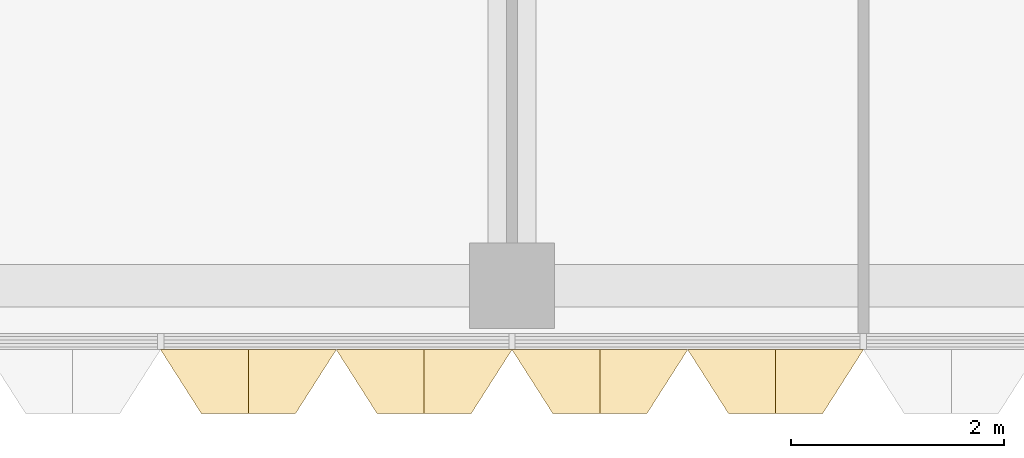
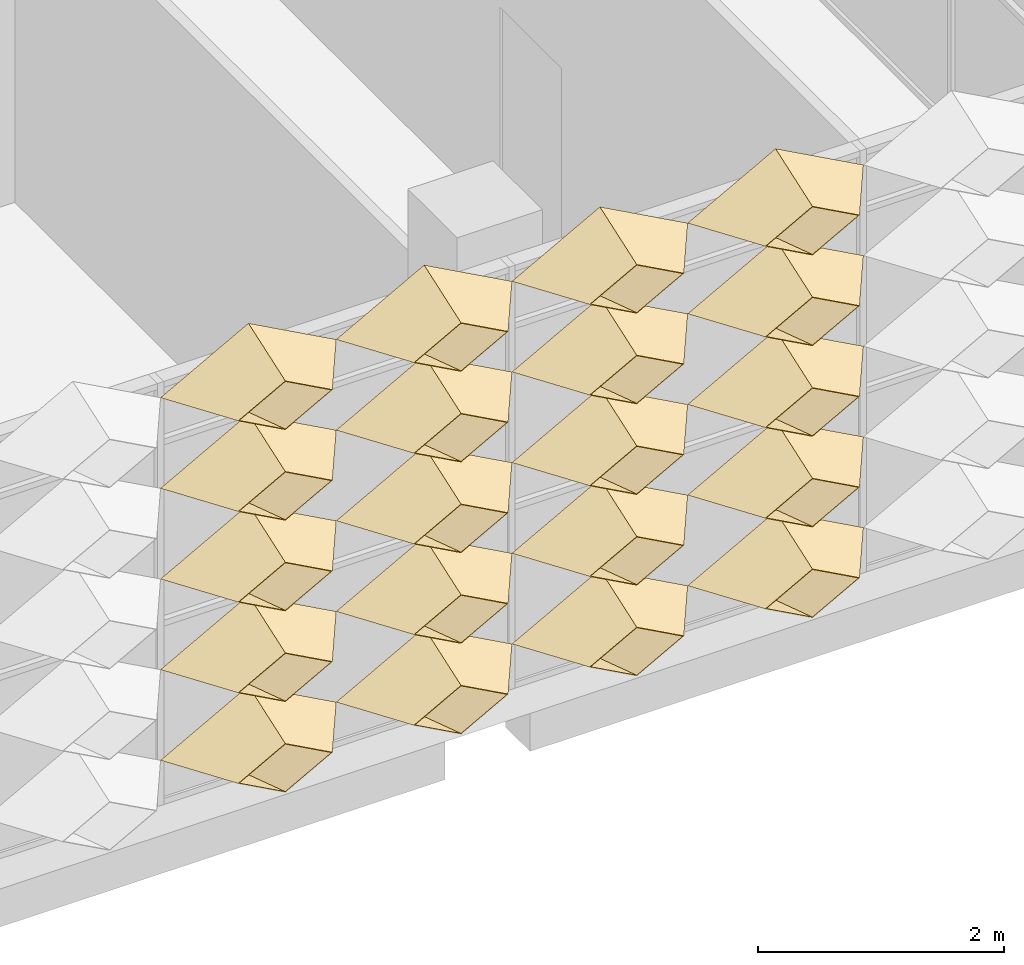
# One storey, part 30 of 39: 20 coverings.
"""IFC4 building model written with IfcOpenShell, lengths in metres."""

from ifc_helpers import new_model, entity, si_unit, direction, frame, origin, place, context, subcontext, project, spatial, material, layer, layer_set, type_object, element, save


model = new_model("IFC4")

# Units and contexts
model_context = context("Model", 3, precision=1e-05, world=origin(), true_north=direction((0.0, 1.0)))
body_context = subcontext(model_context, "Body", "Model", "MODEL_VIEW")
ifc_project = project(units=[si_unit("LENGTHUNIT", "METRE"), si_unit("AREAUNIT", "SQUARE_METRE"), si_unit("VOLUMEUNIT", "CUBIC_METRE"), si_unit("PLANEANGLEUNIT", "RADIAN"), si_unit("MASSUNIT", "GRAM", prefix="KILO")], contexts=[model_context])

# Site, building, storey
site_placement = place(None, origin())
site = spatial("IfcSite", under=ifc_project, at=site_placement, CompositionType="ELEMENT")
building_placement = place(site_placement, origin())
building = spatial("IfcBuilding", under=site, at=building_placement, Name="Lantern Court Research Institute", CompositionType="ELEMENT")
storey_placement = place(building_placement, frame((0.0, 0.0, 27.89990234375)))
storey = spatial("IfcBuildingStorey", under=building, at=storey_placement, Name="L06", CompositionType="ELEMENT", Elevation=27.89990234375)

# Coverings
ifc_material = material(Name="Anodised aluminium", Category="aluminium")
ifc_layer = layer(ifc_material, 0.01611328125)
ifc_layer_set = layer_set([ifc_layer], Name="Anodised aluminium")
covering_type = type_object("IfcCoveringType", Name="Fin cassette 1650 x 900 x 600 aluminium", PredefinedType="CLADDING", material=ifc_layer_set)
covering_1_placement = place(storey_placement, frame((70.125, -8.39990234375, 0.4501953125), z_axis=(0.0, -1.0, 0.0), x_axis=(1.0, 0.0, 0.0)))
cartesian_point_1 = entity("IfcCartesianPoint", [0.824951171875, 0.0])
cartesian_point_2 = entity("IfcCartesianPoint", [0.79150390625, 0.0])
cartesian_point_3 = entity("IfcCartesianPoint", [0.44189453125, 0.0])
cartesian_point_4 = entity("IfcCartesianPoint", [0.43359375, 0.0])
element("IfcCovering", 1, at=covering_1_placement, inside=storey, type_object=covering_type, Name="Fin cassette V5S-L06 1.43", PredefinedType="CLADDING", context=body_context, shape_type="SweptSolid", body=[
    entity("IfcExtrudedAreaSolidTapered", entity("IfcArbitraryProfileDefWithVoids", "AREA", None, entity("IfcPolyline", [cartesian_point_1, entity("IfcCartesianPoint", [0.0, 0.449951171875]), entity("IfcCartesianPoint", [-0.824951171875, 0.0]), entity("IfcCartesianPoint", [0.0, -0.449951171875]), cartesian_point_1]), [entity("IfcPolyline", [cartesian_point_2, entity("IfcCartesianPoint", [0.0, 0.431884765625]), entity("IfcCartesianPoint", [-0.79150390625, 0.0]), entity("IfcCartesianPoint", [0.0, -0.431884765625]), cartesian_point_2])]), entity("IfcAxis2Placement3D", entity("IfcCartesianPoint", [0.0, 0.0, 0.0])), entity("IfcDirection", [0.0, 0.0, 1.0]), 0.60009765625, entity("IfcArbitraryProfileDefWithVoids", "AREA", None, entity("IfcPolyline", [cartesian_point_3, entity("IfcCartesianPoint", [0.0, 0.240966796875]), entity("IfcCartesianPoint", [-0.44189453125, 0.0]), entity("IfcCartesianPoint", [0.0, -0.240966796875]), cartesian_point_3]), [entity("IfcPolyline", [cartesian_point_4, entity("IfcCartesianPoint", [0.0, 0.236572265625]), entity("IfcCartesianPoint", [-0.43359375, 0.0]), entity("IfcCartesianPoint", [0.0, -0.236572265625]), cartesian_point_4])])),
])
covering_2_placement = place(storey_placement, frame((71.77490234375, -8.39990234375, 0.4501953125), z_axis=(0.0, -1.0, 0.0), x_axis=(1.0, 0.0, 0.0)))
cartesian_point_5 = entity("IfcCartesianPoint", [0.824951171875, 0.0])
cartesian_point_6 = entity("IfcCartesianPoint", [0.79150390625, 0.0])
cartesian_point_7 = entity("IfcCartesianPoint", [0.44189453125, 0.0])
cartesian_point_8 = entity("IfcCartesianPoint", [0.43359375, 0.0])
element("IfcCovering", 2, at=covering_2_placement, inside=storey, type_object=covering_type, Name="Fin cassette V5S-L06 1.44", PredefinedType="CLADDING", context=body_context, shape_type="SweptSolid", body=[
    entity("IfcExtrudedAreaSolidTapered", entity("IfcArbitraryProfileDefWithVoids", "AREA", None, entity("IfcPolyline", [cartesian_point_5, entity("IfcCartesianPoint", [0.0, 0.449951171875]), entity("IfcCartesianPoint", [-0.824951171875, 0.0]), entity("IfcCartesianPoint", [0.0, -0.449951171875]), cartesian_point_5]), [entity("IfcPolyline", [cartesian_point_6, entity("IfcCartesianPoint", [0.0, 0.431884765625]), entity("IfcCartesianPoint", [-0.79150390625, 0.0]), entity("IfcCartesianPoint", [0.0, -0.431884765625]), cartesian_point_6])]), entity("IfcAxis2Placement3D", entity("IfcCartesianPoint", [0.0, 0.0, 0.0])), entity("IfcDirection", [0.0, 0.0, 1.0]), 0.60009765625, entity("IfcArbitraryProfileDefWithVoids", "AREA", None, entity("IfcPolyline", [cartesian_point_7, entity("IfcCartesianPoint", [0.0, 0.240966796875]), entity("IfcCartesianPoint", [-0.44189453125, 0.0]), entity("IfcCartesianPoint", [0.0, -0.240966796875]), cartesian_point_7]), [entity("IfcPolyline", [cartesian_point_8, entity("IfcCartesianPoint", [0.0, 0.236572265625]), entity("IfcCartesianPoint", [-0.43359375, 0.0]), entity("IfcCartesianPoint", [0.0, -0.236572265625]), cartesian_point_8])])),
])
covering_3_placement = place(storey_placement, frame((73.425048828125, -8.39990234375, 0.4501953125), z_axis=(0.0, -1.0, 0.0), x_axis=(1.0, 0.0, 0.0)))
cartesian_point_9 = entity("IfcCartesianPoint", [0.824951171875, 0.0])
cartesian_point_10 = entity("IfcCartesianPoint", [0.79150390625, 0.0])
cartesian_point_11 = entity("IfcCartesianPoint", [0.44189453125, 0.0])
cartesian_point_12 = entity("IfcCartesianPoint", [0.43359375, 0.0])
element("IfcCovering", 3, at=covering_3_placement, inside=storey, type_object=covering_type, Name="Fin cassette V5S-L06 1.45", PredefinedType="CLADDING", context=body_context, shape_type="SweptSolid", body=[
    entity("IfcExtrudedAreaSolidTapered", entity("IfcArbitraryProfileDefWithVoids", "AREA", None, entity("IfcPolyline", [cartesian_point_9, entity("IfcCartesianPoint", [0.0, 0.449951171875]), entity("IfcCartesianPoint", [-0.824951171875, 0.0]), entity("IfcCartesianPoint", [0.0, -0.449951171875]), cartesian_point_9]), [entity("IfcPolyline", [cartesian_point_10, entity("IfcCartesianPoint", [0.0, 0.431884765625]), entity("IfcCartesianPoint", [-0.79150390625, 0.0]), entity("IfcCartesianPoint", [0.0, -0.431884765625]), cartesian_point_10])]), entity("IfcAxis2Placement3D", entity("IfcCartesianPoint", [0.0, 0.0, 0.0])), entity("IfcDirection", [0.0, 0.0, 1.0]), 0.60009765625, entity("IfcArbitraryProfileDefWithVoids", "AREA", None, entity("IfcPolyline", [cartesian_point_11, entity("IfcCartesianPoint", [0.0, 0.240966796875]), entity("IfcCartesianPoint", [-0.44189453125, 0.0]), entity("IfcCartesianPoint", [0.0, -0.240966796875]), cartesian_point_11]), [entity("IfcPolyline", [cartesian_point_12, entity("IfcCartesianPoint", [0.0, 0.236572265625]), entity("IfcCartesianPoint", [-0.43359375, 0.0]), entity("IfcCartesianPoint", [0.0, -0.236572265625]), cartesian_point_12])])),
])
covering_4_placement = place(storey_placement, frame((75.074951171875, -8.39990234375, 0.4501953125), z_axis=(0.0, -1.0, 0.0), x_axis=(1.0, 0.0, 0.0)))
cartesian_point_13 = entity("IfcCartesianPoint", [0.824951171875, 0.0])
cartesian_point_14 = entity("IfcCartesianPoint", [0.79150390625, 0.0])
cartesian_point_15 = entity("IfcCartesianPoint", [0.44189453125, 0.0])
cartesian_point_16 = entity("IfcCartesianPoint", [0.43359375, 0.0])
element("IfcCovering", 4, at=covering_4_placement, inside=storey, type_object=covering_type, Name="Fin cassette V5S-L06 1.46", PredefinedType="CLADDING", context=body_context, shape_type="SweptSolid", body=[
    entity("IfcExtrudedAreaSolidTapered", entity("IfcArbitraryProfileDefWithVoids", "AREA", None, entity("IfcPolyline", [cartesian_point_13, entity("IfcCartesianPoint", [0.0, 0.449951171875]), entity("IfcCartesianPoint", [-0.824951171875, 0.0]), entity("IfcCartesianPoint", [0.0, -0.449951171875]), cartesian_point_13]), [entity("IfcPolyline", [cartesian_point_14, entity("IfcCartesianPoint", [0.0, 0.431884765625]), entity("IfcCartesianPoint", [-0.79150390625, 0.0]), entity("IfcCartesianPoint", [0.0, -0.431884765625]), cartesian_point_14])]), entity("IfcAxis2Placement3D", entity("IfcCartesianPoint", [0.0, 0.0, 0.0])), entity("IfcDirection", [0.0, 0.0, 1.0]), 0.60009765625, entity("IfcArbitraryProfileDefWithVoids", "AREA", None, entity("IfcPolyline", [cartesian_point_15, entity("IfcCartesianPoint", [0.0, 0.240966796875]), entity("IfcCartesianPoint", [-0.44189453125, 0.0]), entity("IfcCartesianPoint", [0.0, -0.240966796875]), cartesian_point_15]), [entity("IfcPolyline", [cartesian_point_16, entity("IfcCartesianPoint", [0.0, 0.236572265625]), entity("IfcCartesianPoint", [-0.43359375, 0.0]), entity("IfcCartesianPoint", [0.0, -0.236572265625]), cartesian_point_16])])),
])
covering_5_placement = place(storey_placement, frame((70.125, -8.39990234375, 1.35009765625), z_axis=(0.0, -1.0, 0.0), x_axis=(1.0, 0.0, 0.0)))
cartesian_point_17 = entity("IfcCartesianPoint", [0.824951171875, 0.0])
cartesian_point_18 = entity("IfcCartesianPoint", [0.79150390625, 0.0])
cartesian_point_19 = entity("IfcCartesianPoint", [0.44189453125, 0.0])
cartesian_point_20 = entity("IfcCartesianPoint", [0.43359375, 0.0])
element("IfcCovering", 5, at=covering_5_placement, inside=storey, type_object=covering_type, Name="Fin cassette V5S-L06 2.43", PredefinedType="CLADDING", context=body_context, shape_type="SweptSolid", body=[
    entity("IfcExtrudedAreaSolidTapered", entity("IfcArbitraryProfileDefWithVoids", "AREA", None, entity("IfcPolyline", [cartesian_point_17, entity("IfcCartesianPoint", [0.0, 0.449951171875]), entity("IfcCartesianPoint", [-0.824951171875, 0.0]), entity("IfcCartesianPoint", [0.0, -0.449951171875]), cartesian_point_17]), [entity("IfcPolyline", [cartesian_point_18, entity("IfcCartesianPoint", [0.0, 0.431884765625]), entity("IfcCartesianPoint", [-0.79150390625, 0.0]), entity("IfcCartesianPoint", [0.0, -0.431884765625]), cartesian_point_18])]), entity("IfcAxis2Placement3D", entity("IfcCartesianPoint", [0.0, 0.0, 0.0])), entity("IfcDirection", [0.0, 0.0, 1.0]), 0.60009765625, entity("IfcArbitraryProfileDefWithVoids", "AREA", None, entity("IfcPolyline", [cartesian_point_19, entity("IfcCartesianPoint", [0.0, 0.240966796875]), entity("IfcCartesianPoint", [-0.44189453125, 0.0]), entity("IfcCartesianPoint", [0.0, -0.240966796875]), cartesian_point_19]), [entity("IfcPolyline", [cartesian_point_20, entity("IfcCartesianPoint", [0.0, 0.236572265625]), entity("IfcCartesianPoint", [-0.43359375, 0.0]), entity("IfcCartesianPoint", [0.0, -0.236572265625]), cartesian_point_20])])),
])
covering_6_placement = place(storey_placement, frame((71.77490234375, -8.39990234375, 1.35009765625), z_axis=(0.0, -1.0, 0.0), x_axis=(1.0, 0.0, 0.0)))
cartesian_point_21 = entity("IfcCartesianPoint", [0.824951171875, 0.0])
cartesian_point_22 = entity("IfcCartesianPoint", [0.79150390625, 0.0])
cartesian_point_23 = entity("IfcCartesianPoint", [0.44189453125, 0.0])
cartesian_point_24 = entity("IfcCartesianPoint", [0.43359375, 0.0])
element("IfcCovering", 6, at=covering_6_placement, inside=storey, type_object=covering_type, Name="Fin cassette V5S-L06 2.44", PredefinedType="CLADDING", context=body_context, shape_type="SweptSolid", body=[
    entity("IfcExtrudedAreaSolidTapered", entity("IfcArbitraryProfileDefWithVoids", "AREA", None, entity("IfcPolyline", [cartesian_point_21, entity("IfcCartesianPoint", [0.0, 0.449951171875]), entity("IfcCartesianPoint", [-0.824951171875, 0.0]), entity("IfcCartesianPoint", [0.0, -0.449951171875]), cartesian_point_21]), [entity("IfcPolyline", [cartesian_point_22, entity("IfcCartesianPoint", [0.0, 0.431884765625]), entity("IfcCartesianPoint", [-0.79150390625, 0.0]), entity("IfcCartesianPoint", [0.0, -0.431884765625]), cartesian_point_22])]), entity("IfcAxis2Placement3D", entity("IfcCartesianPoint", [0.0, 0.0, 0.0])), entity("IfcDirection", [0.0, 0.0, 1.0]), 0.60009765625, entity("IfcArbitraryProfileDefWithVoids", "AREA", None, entity("IfcPolyline", [cartesian_point_23, entity("IfcCartesianPoint", [0.0, 0.240966796875]), entity("IfcCartesianPoint", [-0.44189453125, 0.0]), entity("IfcCartesianPoint", [0.0, -0.240966796875]), cartesian_point_23]), [entity("IfcPolyline", [cartesian_point_24, entity("IfcCartesianPoint", [0.0, 0.236572265625]), entity("IfcCartesianPoint", [-0.43359375, 0.0]), entity("IfcCartesianPoint", [0.0, -0.236572265625]), cartesian_point_24])])),
])
covering_7_placement = place(storey_placement, frame((73.425048828125, -8.39990234375, 1.35009765625), z_axis=(0.0, -1.0, 0.0), x_axis=(1.0, 0.0, 0.0)))
cartesian_point_25 = entity("IfcCartesianPoint", [0.824951171875, 0.0])
cartesian_point_26 = entity("IfcCartesianPoint", [0.79150390625, 0.0])
cartesian_point_27 = entity("IfcCartesianPoint", [0.44189453125, 0.0])
cartesian_point_28 = entity("IfcCartesianPoint", [0.43359375, 0.0])
element("IfcCovering", 7, at=covering_7_placement, inside=storey, type_object=covering_type, Name="Fin cassette V5S-L06 2.45", PredefinedType="CLADDING", context=body_context, shape_type="SweptSolid", body=[
    entity("IfcExtrudedAreaSolidTapered", entity("IfcArbitraryProfileDefWithVoids", "AREA", None, entity("IfcPolyline", [cartesian_point_25, entity("IfcCartesianPoint", [0.0, 0.449951171875]), entity("IfcCartesianPoint", [-0.824951171875, 0.0]), entity("IfcCartesianPoint", [0.0, -0.449951171875]), cartesian_point_25]), [entity("IfcPolyline", [cartesian_point_26, entity("IfcCartesianPoint", [0.0, 0.431884765625]), entity("IfcCartesianPoint", [-0.79150390625, 0.0]), entity("IfcCartesianPoint", [0.0, -0.431884765625]), cartesian_point_26])]), entity("IfcAxis2Placement3D", entity("IfcCartesianPoint", [0.0, 0.0, 0.0])), entity("IfcDirection", [0.0, 0.0, 1.0]), 0.60009765625, entity("IfcArbitraryProfileDefWithVoids", "AREA", None, entity("IfcPolyline", [cartesian_point_27, entity("IfcCartesianPoint", [0.0, 0.240966796875]), entity("IfcCartesianPoint", [-0.44189453125, 0.0]), entity("IfcCartesianPoint", [0.0, -0.240966796875]), cartesian_point_27]), [entity("IfcPolyline", [cartesian_point_28, entity("IfcCartesianPoint", [0.0, 0.236572265625]), entity("IfcCartesianPoint", [-0.43359375, 0.0]), entity("IfcCartesianPoint", [0.0, -0.236572265625]), cartesian_point_28])])),
])
covering_8_placement = place(storey_placement, frame((75.074951171875, -8.39990234375, 1.35009765625), z_axis=(0.0, -1.0, 0.0), x_axis=(1.0, 0.0, 0.0)))
cartesian_point_29 = entity("IfcCartesianPoint", [0.824951171875, 0.0])
cartesian_point_30 = entity("IfcCartesianPoint", [0.79150390625, 0.0])
cartesian_point_31 = entity("IfcCartesianPoint", [0.44189453125, 0.0])
cartesian_point_32 = entity("IfcCartesianPoint", [0.43359375, 0.0])
element("IfcCovering", 8, at=covering_8_placement, inside=storey, type_object=covering_type, Name="Fin cassette V5S-L06 2.46", PredefinedType="CLADDING", context=body_context, shape_type="SweptSolid", body=[
    entity("IfcExtrudedAreaSolidTapered", entity("IfcArbitraryProfileDefWithVoids", "AREA", None, entity("IfcPolyline", [cartesian_point_29, entity("IfcCartesianPoint", [0.0, 0.449951171875]), entity("IfcCartesianPoint", [-0.824951171875, 0.0]), entity("IfcCartesianPoint", [0.0, -0.449951171875]), cartesian_point_29]), [entity("IfcPolyline", [cartesian_point_30, entity("IfcCartesianPoint", [0.0, 0.431884765625]), entity("IfcCartesianPoint", [-0.79150390625, 0.0]), entity("IfcCartesianPoint", [0.0, -0.431884765625]), cartesian_point_30])]), entity("IfcAxis2Placement3D", entity("IfcCartesianPoint", [0.0, 0.0, 0.0])), entity("IfcDirection", [0.0, 0.0, 1.0]), 0.60009765625, entity("IfcArbitraryProfileDefWithVoids", "AREA", None, entity("IfcPolyline", [cartesian_point_31, entity("IfcCartesianPoint", [0.0, 0.240966796875]), entity("IfcCartesianPoint", [-0.44189453125, 0.0]), entity("IfcCartesianPoint", [0.0, -0.240966796875]), cartesian_point_31]), [entity("IfcPolyline", [cartesian_point_32, entity("IfcCartesianPoint", [0.0, 0.236572265625]), entity("IfcCartesianPoint", [-0.43359375, 0.0]), entity("IfcCartesianPoint", [0.0, -0.236572265625]), cartesian_point_32])])),
])
covering_9_placement = place(storey_placement, frame((70.125, -8.39990234375, 2.25), z_axis=(0.0, -1.0, 0.0), x_axis=(1.0, 0.0, 0.0)))
cartesian_point_33 = entity("IfcCartesianPoint", [0.824951171875, 0.0])
cartesian_point_34 = entity("IfcCartesianPoint", [0.79150390625, 0.0])
cartesian_point_35 = entity("IfcCartesianPoint", [0.44189453125, 0.0])
cartesian_point_36 = entity("IfcCartesianPoint", [0.43359375, 0.0])
element("IfcCovering", 9, at=covering_9_placement, inside=storey, type_object=covering_type, Name="Fin cassette V5S-L06 3.43", PredefinedType="CLADDING", context=body_context, shape_type="SweptSolid", body=[
    entity("IfcExtrudedAreaSolidTapered", entity("IfcArbitraryProfileDefWithVoids", "AREA", None, entity("IfcPolyline", [cartesian_point_33, entity("IfcCartesianPoint", [0.0, 0.449951171875]), entity("IfcCartesianPoint", [-0.824951171875, 0.0]), entity("IfcCartesianPoint", [0.0, -0.449951171875]), cartesian_point_33]), [entity("IfcPolyline", [cartesian_point_34, entity("IfcCartesianPoint", [0.0, 0.431884765625]), entity("IfcCartesianPoint", [-0.79150390625, 0.0]), entity("IfcCartesianPoint", [0.0, -0.431884765625]), cartesian_point_34])]), entity("IfcAxis2Placement3D", entity("IfcCartesianPoint", [0.0, 0.0, 0.0])), entity("IfcDirection", [0.0, 0.0, 1.0]), 0.60009765625, entity("IfcArbitraryProfileDefWithVoids", "AREA", None, entity("IfcPolyline", [cartesian_point_35, entity("IfcCartesianPoint", [0.0, 0.240966796875]), entity("IfcCartesianPoint", [-0.44189453125, 0.0]), entity("IfcCartesianPoint", [0.0, -0.240966796875]), cartesian_point_35]), [entity("IfcPolyline", [cartesian_point_36, entity("IfcCartesianPoint", [0.0, 0.236572265625]), entity("IfcCartesianPoint", [-0.43359375, 0.0]), entity("IfcCartesianPoint", [0.0, -0.236572265625]), cartesian_point_36])])),
])
covering_10_placement = place(storey_placement, frame((71.77490234375, -8.39990234375, 2.25), z_axis=(0.0, -1.0, 0.0), x_axis=(1.0, 0.0, 0.0)))
cartesian_point_37 = entity("IfcCartesianPoint", [0.824951171875, 0.0])
cartesian_point_38 = entity("IfcCartesianPoint", [0.79150390625, 0.0])
cartesian_point_39 = entity("IfcCartesianPoint", [0.44189453125, 0.0])
cartesian_point_40 = entity("IfcCartesianPoint", [0.43359375, 0.0])
element("IfcCovering", 10, at=covering_10_placement, inside=storey, type_object=covering_type, Name="Fin cassette V5S-L06 3.44", PredefinedType="CLADDING", context=body_context, shape_type="SweptSolid", body=[
    entity("IfcExtrudedAreaSolidTapered", entity("IfcArbitraryProfileDefWithVoids", "AREA", None, entity("IfcPolyline", [cartesian_point_37, entity("IfcCartesianPoint", [0.0, 0.449951171875]), entity("IfcCartesianPoint", [-0.824951171875, 0.0]), entity("IfcCartesianPoint", [0.0, -0.449951171875]), cartesian_point_37]), [entity("IfcPolyline", [cartesian_point_38, entity("IfcCartesianPoint", [0.0, 0.431884765625]), entity("IfcCartesianPoint", [-0.79150390625, 0.0]), entity("IfcCartesianPoint", [0.0, -0.431884765625]), cartesian_point_38])]), entity("IfcAxis2Placement3D", entity("IfcCartesianPoint", [0.0, 0.0, 0.0])), entity("IfcDirection", [0.0, 0.0, 1.0]), 0.60009765625, entity("IfcArbitraryProfileDefWithVoids", "AREA", None, entity("IfcPolyline", [cartesian_point_39, entity("IfcCartesianPoint", [0.0, 0.240966796875]), entity("IfcCartesianPoint", [-0.44189453125, 0.0]), entity("IfcCartesianPoint", [0.0, -0.240966796875]), cartesian_point_39]), [entity("IfcPolyline", [cartesian_point_40, entity("IfcCartesianPoint", [0.0, 0.236572265625]), entity("IfcCartesianPoint", [-0.43359375, 0.0]), entity("IfcCartesianPoint", [0.0, -0.236572265625]), cartesian_point_40])])),
])
covering_11_placement = place(storey_placement, frame((73.425048828125, -8.39990234375, 2.25), z_axis=(0.0, -1.0, 0.0), x_axis=(1.0, 0.0, 0.0)))
cartesian_point_41 = entity("IfcCartesianPoint", [0.824951171875, 0.0])
cartesian_point_42 = entity("IfcCartesianPoint", [0.79150390625, 0.0])
cartesian_point_43 = entity("IfcCartesianPoint", [0.44189453125, 0.0])
cartesian_point_44 = entity("IfcCartesianPoint", [0.43359375, 0.0])
element("IfcCovering", 11, at=covering_11_placement, inside=storey, type_object=covering_type, Name="Fin cassette V5S-L06 3.45", PredefinedType="CLADDING", context=body_context, shape_type="SweptSolid", body=[
    entity("IfcExtrudedAreaSolidTapered", entity("IfcArbitraryProfileDefWithVoids", "AREA", None, entity("IfcPolyline", [cartesian_point_41, entity("IfcCartesianPoint", [0.0, 0.449951171875]), entity("IfcCartesianPoint", [-0.824951171875, 0.0]), entity("IfcCartesianPoint", [0.0, -0.449951171875]), cartesian_point_41]), [entity("IfcPolyline", [cartesian_point_42, entity("IfcCartesianPoint", [0.0, 0.431884765625]), entity("IfcCartesianPoint", [-0.79150390625, 0.0]), entity("IfcCartesianPoint", [0.0, -0.431884765625]), cartesian_point_42])]), entity("IfcAxis2Placement3D", entity("IfcCartesianPoint", [0.0, 0.0, 0.0])), entity("IfcDirection", [0.0, 0.0, 1.0]), 0.60009765625, entity("IfcArbitraryProfileDefWithVoids", "AREA", None, entity("IfcPolyline", [cartesian_point_43, entity("IfcCartesianPoint", [0.0, 0.240966796875]), entity("IfcCartesianPoint", [-0.44189453125, 0.0]), entity("IfcCartesianPoint", [0.0, -0.240966796875]), cartesian_point_43]), [entity("IfcPolyline", [cartesian_point_44, entity("IfcCartesianPoint", [0.0, 0.236572265625]), entity("IfcCartesianPoint", [-0.43359375, 0.0]), entity("IfcCartesianPoint", [0.0, -0.236572265625]), cartesian_point_44])])),
])
covering_12_placement = place(storey_placement, frame((75.074951171875, -8.39990234375, 2.25), z_axis=(0.0, -1.0, 0.0), x_axis=(1.0, 0.0, 0.0)))
cartesian_point_45 = entity("IfcCartesianPoint", [0.824951171875, 0.0])
cartesian_point_46 = entity("IfcCartesianPoint", [0.79150390625, 0.0])
cartesian_point_47 = entity("IfcCartesianPoint", [0.44189453125, 0.0])
cartesian_point_48 = entity("IfcCartesianPoint", [0.43359375, 0.0])
element("IfcCovering", 12, at=covering_12_placement, inside=storey, type_object=covering_type, Name="Fin cassette V5S-L06 3.46", PredefinedType="CLADDING", context=body_context, shape_type="SweptSolid", body=[
    entity("IfcExtrudedAreaSolidTapered", entity("IfcArbitraryProfileDefWithVoids", "AREA", None, entity("IfcPolyline", [cartesian_point_45, entity("IfcCartesianPoint", [0.0, 0.449951171875]), entity("IfcCartesianPoint", [-0.824951171875, 0.0]), entity("IfcCartesianPoint", [0.0, -0.449951171875]), cartesian_point_45]), [entity("IfcPolyline", [cartesian_point_46, entity("IfcCartesianPoint", [0.0, 0.431884765625]), entity("IfcCartesianPoint", [-0.79150390625, 0.0]), entity("IfcCartesianPoint", [0.0, -0.431884765625]), cartesian_point_46])]), entity("IfcAxis2Placement3D", entity("IfcCartesianPoint", [0.0, 0.0, 0.0])), entity("IfcDirection", [0.0, 0.0, 1.0]), 0.60009765625, entity("IfcArbitraryProfileDefWithVoids", "AREA", None, entity("IfcPolyline", [cartesian_point_47, entity("IfcCartesianPoint", [0.0, 0.240966796875]), entity("IfcCartesianPoint", [-0.44189453125, 0.0]), entity("IfcCartesianPoint", [0.0, -0.240966796875]), cartesian_point_47]), [entity("IfcPolyline", [cartesian_point_48, entity("IfcCartesianPoint", [0.0, 0.236572265625]), entity("IfcCartesianPoint", [-0.43359375, 0.0]), entity("IfcCartesianPoint", [0.0, -0.236572265625]), cartesian_point_48])])),
])
covering_13_placement = place(storey_placement, frame((70.125, -8.39990234375, 3.150146484375), z_axis=(0.0, -1.0, 0.0), x_axis=(1.0, 0.0, 0.0)))
cartesian_point_49 = entity("IfcCartesianPoint", [0.824951171875, 0.0])
cartesian_point_50 = entity("IfcCartesianPoint", [0.79150390625, 0.0])
cartesian_point_51 = entity("IfcCartesianPoint", [0.44189453125, 0.0])
cartesian_point_52 = entity("IfcCartesianPoint", [0.43359375, 0.0])
element("IfcCovering", 13, at=covering_13_placement, inside=storey, type_object=covering_type, Name="Fin cassette V5S-L06 4.43", PredefinedType="CLADDING", context=body_context, shape_type="SweptSolid", body=[
    entity("IfcExtrudedAreaSolidTapered", entity("IfcArbitraryProfileDefWithVoids", "AREA", None, entity("IfcPolyline", [cartesian_point_49, entity("IfcCartesianPoint", [0.0, 0.449951171875]), entity("IfcCartesianPoint", [-0.824951171875, 0.0]), entity("IfcCartesianPoint", [0.0, -0.449951171875]), cartesian_point_49]), [entity("IfcPolyline", [cartesian_point_50, entity("IfcCartesianPoint", [0.0, 0.431884765625]), entity("IfcCartesianPoint", [-0.79150390625, 0.0]), entity("IfcCartesianPoint", [0.0, -0.431884765625]), cartesian_point_50])]), entity("IfcAxis2Placement3D", entity("IfcCartesianPoint", [0.0, 0.0, 0.0])), entity("IfcDirection", [0.0, 0.0, 1.0]), 0.60009765625, entity("IfcArbitraryProfileDefWithVoids", "AREA", None, entity("IfcPolyline", [cartesian_point_51, entity("IfcCartesianPoint", [0.0, 0.240966796875]), entity("IfcCartesianPoint", [-0.44189453125, 0.0]), entity("IfcCartesianPoint", [0.0, -0.240966796875]), cartesian_point_51]), [entity("IfcPolyline", [cartesian_point_52, entity("IfcCartesianPoint", [0.0, 0.236572265625]), entity("IfcCartesianPoint", [-0.43359375, 0.0]), entity("IfcCartesianPoint", [0.0, -0.236572265625]), cartesian_point_52])])),
])
covering_14_placement = place(storey_placement, frame((71.77490234375, -8.39990234375, 3.150146484375), z_axis=(0.0, -1.0, 0.0), x_axis=(1.0, 0.0, 0.0)))
cartesian_point_53 = entity("IfcCartesianPoint", [0.824951171875, 0.0])
cartesian_point_54 = entity("IfcCartesianPoint", [0.79150390625, 0.0])
cartesian_point_55 = entity("IfcCartesianPoint", [0.44189453125, 0.0])
cartesian_point_56 = entity("IfcCartesianPoint", [0.43359375, 0.0])
element("IfcCovering", 14, at=covering_14_placement, inside=storey, type_object=covering_type, Name="Fin cassette V5S-L06 4.44", PredefinedType="CLADDING", context=body_context, shape_type="SweptSolid", body=[
    entity("IfcExtrudedAreaSolidTapered", entity("IfcArbitraryProfileDefWithVoids", "AREA", None, entity("IfcPolyline", [cartesian_point_53, entity("IfcCartesianPoint", [0.0, 0.449951171875]), entity("IfcCartesianPoint", [-0.824951171875, 0.0]), entity("IfcCartesianPoint", [0.0, -0.449951171875]), cartesian_point_53]), [entity("IfcPolyline", [cartesian_point_54, entity("IfcCartesianPoint", [0.0, 0.431884765625]), entity("IfcCartesianPoint", [-0.79150390625, 0.0]), entity("IfcCartesianPoint", [0.0, -0.431884765625]), cartesian_point_54])]), entity("IfcAxis2Placement3D", entity("IfcCartesianPoint", [0.0, 0.0, 0.0])), entity("IfcDirection", [0.0, 0.0, 1.0]), 0.60009765625, entity("IfcArbitraryProfileDefWithVoids", "AREA", None, entity("IfcPolyline", [cartesian_point_55, entity("IfcCartesianPoint", [0.0, 0.240966796875]), entity("IfcCartesianPoint", [-0.44189453125, 0.0]), entity("IfcCartesianPoint", [0.0, -0.240966796875]), cartesian_point_55]), [entity("IfcPolyline", [cartesian_point_56, entity("IfcCartesianPoint", [0.0, 0.236572265625]), entity("IfcCartesianPoint", [-0.43359375, 0.0]), entity("IfcCartesianPoint", [0.0, -0.236572265625]), cartesian_point_56])])),
])
covering_15_placement = place(storey_placement, frame((73.425048828125, -8.39990234375, 3.150146484375), z_axis=(0.0, -1.0, 0.0), x_axis=(1.0, 0.0, 0.0)))
cartesian_point_57 = entity("IfcCartesianPoint", [0.824951171875, 0.0])
cartesian_point_58 = entity("IfcCartesianPoint", [0.79150390625, 0.0])
cartesian_point_59 = entity("IfcCartesianPoint", [0.44189453125, 0.0])
cartesian_point_60 = entity("IfcCartesianPoint", [0.43359375, 0.0])
element("IfcCovering", 15, at=covering_15_placement, inside=storey, type_object=covering_type, Name="Fin cassette V5S-L06 4.45", PredefinedType="CLADDING", context=body_context, shape_type="SweptSolid", body=[
    entity("IfcExtrudedAreaSolidTapered", entity("IfcArbitraryProfileDefWithVoids", "AREA", None, entity("IfcPolyline", [cartesian_point_57, entity("IfcCartesianPoint", [0.0, 0.449951171875]), entity("IfcCartesianPoint", [-0.824951171875, 0.0]), entity("IfcCartesianPoint", [0.0, -0.449951171875]), cartesian_point_57]), [entity("IfcPolyline", [cartesian_point_58, entity("IfcCartesianPoint", [0.0, 0.431884765625]), entity("IfcCartesianPoint", [-0.79150390625, 0.0]), entity("IfcCartesianPoint", [0.0, -0.431884765625]), cartesian_point_58])]), entity("IfcAxis2Placement3D", entity("IfcCartesianPoint", [0.0, 0.0, 0.0])), entity("IfcDirection", [0.0, 0.0, 1.0]), 0.60009765625, entity("IfcArbitraryProfileDefWithVoids", "AREA", None, entity("IfcPolyline", [cartesian_point_59, entity("IfcCartesianPoint", [0.0, 0.240966796875]), entity("IfcCartesianPoint", [-0.44189453125, 0.0]), entity("IfcCartesianPoint", [0.0, -0.240966796875]), cartesian_point_59]), [entity("IfcPolyline", [cartesian_point_60, entity("IfcCartesianPoint", [0.0, 0.236572265625]), entity("IfcCartesianPoint", [-0.43359375, 0.0]), entity("IfcCartesianPoint", [0.0, -0.236572265625]), cartesian_point_60])])),
])
covering_16_placement = place(storey_placement, frame((75.074951171875, -8.39990234375, 3.150146484375), z_axis=(0.0, -1.0, 0.0), x_axis=(1.0, 0.0, 0.0)))
cartesian_point_61 = entity("IfcCartesianPoint", [0.824951171875, 0.0])
cartesian_point_62 = entity("IfcCartesianPoint", [0.79150390625, 0.0])
cartesian_point_63 = entity("IfcCartesianPoint", [0.44189453125, 0.0])
cartesian_point_64 = entity("IfcCartesianPoint", [0.43359375, 0.0])
element("IfcCovering", 16, at=covering_16_placement, inside=storey, type_object=covering_type, Name="Fin cassette V5S-L06 4.46", PredefinedType="CLADDING", context=body_context, shape_type="SweptSolid", body=[
    entity("IfcExtrudedAreaSolidTapered", entity("IfcArbitraryProfileDefWithVoids", "AREA", None, entity("IfcPolyline", [cartesian_point_61, entity("IfcCartesianPoint", [0.0, 0.449951171875]), entity("IfcCartesianPoint", [-0.824951171875, 0.0]), entity("IfcCartesianPoint", [0.0, -0.449951171875]), cartesian_point_61]), [entity("IfcPolyline", [cartesian_point_62, entity("IfcCartesianPoint", [0.0, 0.431884765625]), entity("IfcCartesianPoint", [-0.79150390625, 0.0]), entity("IfcCartesianPoint", [0.0, -0.431884765625]), cartesian_point_62])]), entity("IfcAxis2Placement3D", entity("IfcCartesianPoint", [0.0, 0.0, 0.0])), entity("IfcDirection", [0.0, 0.0, 1.0]), 0.60009765625, entity("IfcArbitraryProfileDefWithVoids", "AREA", None, entity("IfcPolyline", [cartesian_point_63, entity("IfcCartesianPoint", [0.0, 0.240966796875]), entity("IfcCartesianPoint", [-0.44189453125, 0.0]), entity("IfcCartesianPoint", [0.0, -0.240966796875]), cartesian_point_63]), [entity("IfcPolyline", [cartesian_point_64, entity("IfcCartesianPoint", [0.0, 0.236572265625]), entity("IfcCartesianPoint", [-0.43359375, 0.0]), entity("IfcCartesianPoint", [0.0, -0.236572265625]), cartesian_point_64])])),
])
covering_17_placement = place(storey_placement, frame((70.125, -8.39990234375, 4.050048828125), z_axis=(0.0, -1.0, 0.0), x_axis=(1.0, 0.0, 0.0)))
cartesian_point_65 = entity("IfcCartesianPoint", [0.824951171875, 0.0])
cartesian_point_66 = entity("IfcCartesianPoint", [0.79150390625, 0.0])
cartesian_point_67 = entity("IfcCartesianPoint", [0.44189453125, 0.0])
cartesian_point_68 = entity("IfcCartesianPoint", [0.43359375, 0.0])
element("IfcCovering", 17, at=covering_17_placement, inside=storey, type_object=covering_type, Name="Fin cassette V5S-L06 5.43", PredefinedType="CLADDING", context=body_context, shape_type="SweptSolid", body=[
    entity("IfcExtrudedAreaSolidTapered", entity("IfcArbitraryProfileDefWithVoids", "AREA", None, entity("IfcPolyline", [cartesian_point_65, entity("IfcCartesianPoint", [0.0, 0.449951171875]), entity("IfcCartesianPoint", [-0.824951171875, 0.0]), entity("IfcCartesianPoint", [0.0, -0.449951171875]), cartesian_point_65]), [entity("IfcPolyline", [cartesian_point_66, entity("IfcCartesianPoint", [0.0, 0.431884765625]), entity("IfcCartesianPoint", [-0.79150390625, 0.0]), entity("IfcCartesianPoint", [0.0, -0.431884765625]), cartesian_point_66])]), entity("IfcAxis2Placement3D", entity("IfcCartesianPoint", [0.0, 0.0, 0.0])), entity("IfcDirection", [0.0, 0.0, 1.0]), 0.60009765625, entity("IfcArbitraryProfileDefWithVoids", "AREA", None, entity("IfcPolyline", [cartesian_point_67, entity("IfcCartesianPoint", [0.0, 0.240966796875]), entity("IfcCartesianPoint", [-0.44189453125, 0.0]), entity("IfcCartesianPoint", [0.0, -0.240966796875]), cartesian_point_67]), [entity("IfcPolyline", [cartesian_point_68, entity("IfcCartesianPoint", [0.0, 0.236572265625]), entity("IfcCartesianPoint", [-0.43359375, 0.0]), entity("IfcCartesianPoint", [0.0, -0.236572265625]), cartesian_point_68])])),
])
covering_18_placement = place(storey_placement, frame((71.77490234375, -8.39990234375, 4.050048828125), z_axis=(0.0, -1.0, 0.0), x_axis=(1.0, 0.0, 0.0)))
cartesian_point_69 = entity("IfcCartesianPoint", [0.824951171875, 0.0])
cartesian_point_70 = entity("IfcCartesianPoint", [0.79150390625, 0.0])
cartesian_point_71 = entity("IfcCartesianPoint", [0.44189453125, 0.0])
cartesian_point_72 = entity("IfcCartesianPoint", [0.43359375, 0.0])
element("IfcCovering", 18, at=covering_18_placement, inside=storey, type_object=covering_type, Name="Fin cassette V5S-L06 5.44", PredefinedType="CLADDING", context=body_context, shape_type="SweptSolid", body=[
    entity("IfcExtrudedAreaSolidTapered", entity("IfcArbitraryProfileDefWithVoids", "AREA", None, entity("IfcPolyline", [cartesian_point_69, entity("IfcCartesianPoint", [0.0, 0.449951171875]), entity("IfcCartesianPoint", [-0.824951171875, 0.0]), entity("IfcCartesianPoint", [0.0, -0.449951171875]), cartesian_point_69]), [entity("IfcPolyline", [cartesian_point_70, entity("IfcCartesianPoint", [0.0, 0.431884765625]), entity("IfcCartesianPoint", [-0.79150390625, 0.0]), entity("IfcCartesianPoint", [0.0, -0.431884765625]), cartesian_point_70])]), entity("IfcAxis2Placement3D", entity("IfcCartesianPoint", [0.0, 0.0, 0.0])), entity("IfcDirection", [0.0, 0.0, 1.0]), 0.60009765625, entity("IfcArbitraryProfileDefWithVoids", "AREA", None, entity("IfcPolyline", [cartesian_point_71, entity("IfcCartesianPoint", [0.0, 0.240966796875]), entity("IfcCartesianPoint", [-0.44189453125, 0.0]), entity("IfcCartesianPoint", [0.0, -0.240966796875]), cartesian_point_71]), [entity("IfcPolyline", [cartesian_point_72, entity("IfcCartesianPoint", [0.0, 0.236572265625]), entity("IfcCartesianPoint", [-0.43359375, 0.0]), entity("IfcCartesianPoint", [0.0, -0.236572265625]), cartesian_point_72])])),
])
covering_19_placement = place(storey_placement, frame((73.425048828125, -8.39990234375, 4.050048828125), z_axis=(0.0, -1.0, 0.0), x_axis=(1.0, 0.0, 0.0)))
cartesian_point_73 = entity("IfcCartesianPoint", [0.824951171875, 0.0])
cartesian_point_74 = entity("IfcCartesianPoint", [0.79150390625, 0.0])
cartesian_point_75 = entity("IfcCartesianPoint", [0.44189453125, 0.0])
cartesian_point_76 = entity("IfcCartesianPoint", [0.43359375, 0.0])
element("IfcCovering", 19, at=covering_19_placement, inside=storey, type_object=covering_type, Name="Fin cassette V5S-L06 5.45", PredefinedType="CLADDING", context=body_context, shape_type="SweptSolid", body=[
    entity("IfcExtrudedAreaSolidTapered", entity("IfcArbitraryProfileDefWithVoids", "AREA", None, entity("IfcPolyline", [cartesian_point_73, entity("IfcCartesianPoint", [0.0, 0.449951171875]), entity("IfcCartesianPoint", [-0.824951171875, 0.0]), entity("IfcCartesianPoint", [0.0, -0.449951171875]), cartesian_point_73]), [entity("IfcPolyline", [cartesian_point_74, entity("IfcCartesianPoint", [0.0, 0.431884765625]), entity("IfcCartesianPoint", [-0.79150390625, 0.0]), entity("IfcCartesianPoint", [0.0, -0.431884765625]), cartesian_point_74])]), entity("IfcAxis2Placement3D", entity("IfcCartesianPoint", [0.0, 0.0, 0.0])), entity("IfcDirection", [0.0, 0.0, 1.0]), 0.60009765625, entity("IfcArbitraryProfileDefWithVoids", "AREA", None, entity("IfcPolyline", [cartesian_point_75, entity("IfcCartesianPoint", [0.0, 0.240966796875]), entity("IfcCartesianPoint", [-0.44189453125, 0.0]), entity("IfcCartesianPoint", [0.0, -0.240966796875]), cartesian_point_75]), [entity("IfcPolyline", [cartesian_point_76, entity("IfcCartesianPoint", [0.0, 0.236572265625]), entity("IfcCartesianPoint", [-0.43359375, 0.0]), entity("IfcCartesianPoint", [0.0, -0.236572265625]), cartesian_point_76])])),
])
covering_20_placement = place(storey_placement, frame((75.074951171875, -8.39990234375, 4.050048828125), z_axis=(0.0, -1.0, 0.0), x_axis=(1.0, 0.0, 0.0)))
cartesian_point_77 = entity("IfcCartesianPoint", [0.824951171875, 0.0])
cartesian_point_78 = entity("IfcCartesianPoint", [0.79150390625, 0.0])
cartesian_point_79 = entity("IfcCartesianPoint", [0.44189453125, 0.0])
cartesian_point_80 = entity("IfcCartesianPoint", [0.43359375, 0.0])
element("IfcCovering", 20, at=covering_20_placement, inside=storey, type_object=covering_type, Name="Fin cassette V5S-L06 5.46", PredefinedType="CLADDING", context=body_context, shape_type="SweptSolid", body=[
    entity("IfcExtrudedAreaSolidTapered", entity("IfcArbitraryProfileDefWithVoids", "AREA", None, entity("IfcPolyline", [cartesian_point_77, entity("IfcCartesianPoint", [0.0, 0.449951171875]), entity("IfcCartesianPoint", [-0.824951171875, 0.0]), entity("IfcCartesianPoint", [0.0, -0.449951171875]), cartesian_point_77]), [entity("IfcPolyline", [cartesian_point_78, entity("IfcCartesianPoint", [0.0, 0.431884765625]), entity("IfcCartesianPoint", [-0.79150390625, 0.0]), entity("IfcCartesianPoint", [0.0, -0.431884765625]), cartesian_point_78])]), entity("IfcAxis2Placement3D", entity("IfcCartesianPoint", [0.0, 0.0, 0.0])), entity("IfcDirection", [0.0, 0.0, 1.0]), 0.60009765625, entity("IfcArbitraryProfileDefWithVoids", "AREA", None, entity("IfcPolyline", [cartesian_point_79, entity("IfcCartesianPoint", [0.0, 0.240966796875]), entity("IfcCartesianPoint", [-0.44189453125, 0.0]), entity("IfcCartesianPoint", [0.0, -0.240966796875]), cartesian_point_79]), [entity("IfcPolyline", [cartesian_point_80, entity("IfcCartesianPoint", [0.0, 0.236572265625]), entity("IfcCartesianPoint", [-0.43359375, 0.0]), entity("IfcCartesianPoint", [0.0, -0.236572265625]), cartesian_point_80])])),
])

save(model, "model.ifc")
